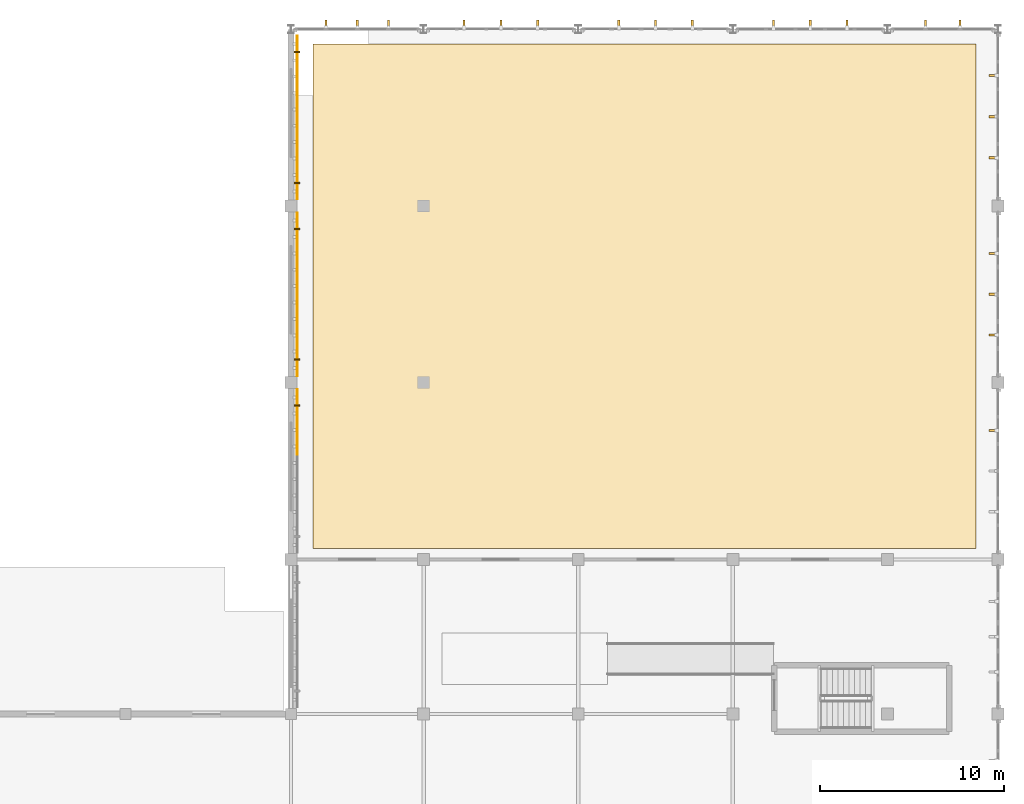
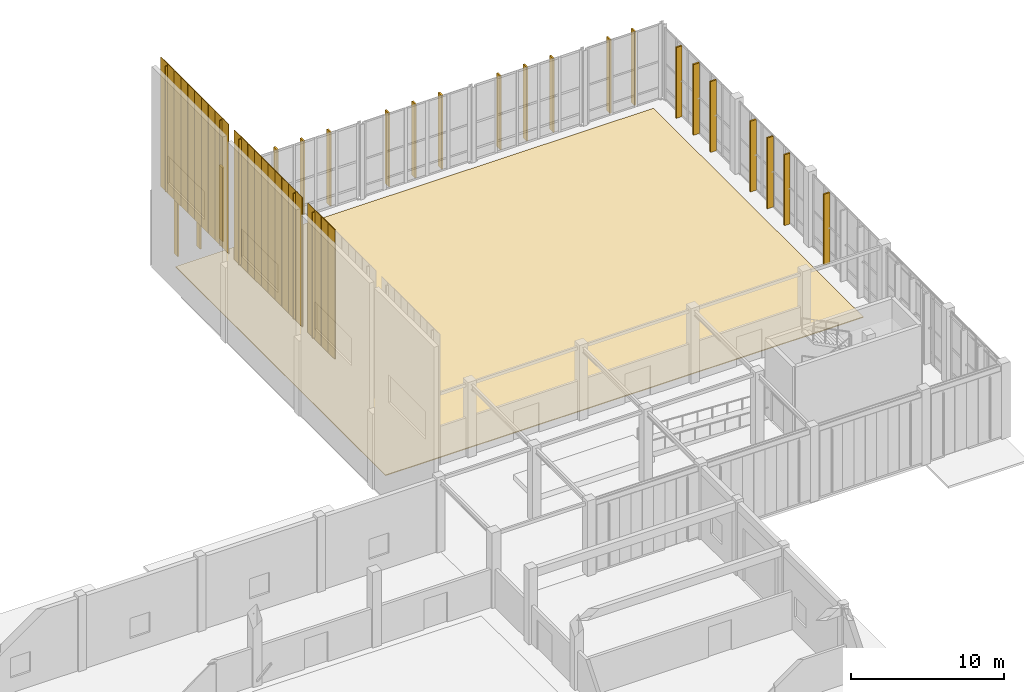
# One storey, part 109 of 110: 46 coverings, 5 shading devices.
"""IFC4 building model written with IfcOpenShell, lengths in metres."""

from ifc_helpers import new_model, si_unit, direction, frame, origin, origin_2d, place, context, subcontext, project, spatial, polyline, rectangle, outline, extrude, material, layer, layer_set, type_object, element, save


model = new_model("IFC4")

# Units and contexts
model_context = context("Model", 3, precision=1e-05, world=origin(), true_north=direction((0.0, 1.0)))
body_context = subcontext(model_context, "Body", "Model", "MODEL_VIEW")
ifc_project = project(units=[si_unit("LENGTHUNIT", "METRE"), si_unit("AREAUNIT", "SQUARE_METRE"), si_unit("VOLUMEUNIT", "CUBIC_METRE"), si_unit("PLANEANGLEUNIT", "RADIAN"), si_unit("MASSUNIT", "GRAM", prefix="KILO")], contexts=[model_context])

# Site, building, storey
site_placement = place(None, origin())
site = spatial("IfcSite", under=ifc_project, at=site_placement, CompositionType="ELEMENT")
building_placement = place(site_placement, origin())
building = spatial("IfcBuilding", under=site, at=building_placement, Name="Tizgana Railside Sports Hall", CompositionType="ELEMENT")
storey_placement = place(building_placement, origin())
storey = spatial("IfcBuildingStorey", under=building, at=storey_placement, Name="L00", CompositionType="ELEMENT", Elevation=0.0)

# Shading devices
ifc_material_1 = material(Name="Glulam GL28h", Category="wood")
shading_device_type = type_object("IfcShadingDeviceType", Name="Glulam Vertical Brise-Soleil Fin 320", PredefinedType="JALOUSIE", material=ifc_material_1)
for number, where, z_axis, x_axis, name in (
    (1, (134.1240234375, 97.14990234375, 6.64990234375), (0.0, 0.0, 1.0), (0.0, -1.0, 0.0), "L00 Glulam Fin FIN-0011"),
    (2, (134.1240234375, 106.75, 6.64990234375), (0.0, 0.0, 1.0), (0.0, -1.0, 0.0), "L00 Glulam Fin FIN-0013"),
    (3, (134.1240234375, 99.64990234375, 6.64990234375), (0.0, 0.0, 1.0), (0.0, -1.0, 0.0), "L00 Glulam Fin FIN-0014"),
    (4, (134.1240234375, 116.35009765625, 6.64990234375), (0.0, 0.0, 1.0), (0.0, -1.0, 0.0), "L00 Glulam Fin FIN-0015"),
    (5, (134.1240234375, 109.25, 6.64990234375), (0.0, 0.0, 1.0), (0.0, -1.0, 0.0), "L00 Glulam Fin FIN-0016"),
):
    element("IfcShadingDevice", number, at=place(storey_placement, frame(where, z_axis=z_axis, x_axis=x_axis)), inside=storey, type_object=shading_device_type, Name=name, PredefinedType="JALOUSIE", context=body_context, shape_type="SweptSolid", body=[
        extrude(rectangle(XDim=0.080078125, YDim=0.320068359375, at=origin_2d()), origin(), (0.0, 0.0, 1.0), 10.0),
    ])

# Coverings
ifc_layer_1 = layer(ifc_material_1, 0.139892578125, Name="Glulam GL28h")
ifc_layer_set_1 = layer_set([ifc_layer_1], Name="Glulam GL28h")
covering_type_1 = type_object("IfcCoveringType", Name="Mass-Timber Brise-Soleil & Pergola Fin", PredefinedType="CLADDING", material=ifc_layer_set_1)
for number, where, z_axis, x_axis, name in (
    (6, (135.702392578125, 117.8798828125, 0.0849609375), (0.0, 0.0, 1.0), (1.0, 0.0, 0.0), "L00 Timber Brise-Soleil Fin"),
    (7, (137.39990234375, 117.8798828125, 0.0849609375), (0.0, 0.0, 1.0), (1.0, 0.0, 0.0), "L00 Timber Brise-Soleil Fin"),
    (8, (139.097412109375, 117.8798828125, 0.0849609375), (0.0, 0.0, 1.0), (1.0, 0.0, 0.0), "L00 Timber Brise-Soleil Fin"),
    (9, (143.202392578125, 117.8798828125, 0.0849609375), (0.0, 0.0, 1.0), (1.0, 0.0, 0.0), "L00 Timber Brise-Soleil Fin"),
    (10, (145.199951171875, 117.8798828125, 0.0849609375), (0.0, 0.0, 1.0), (1.0, 0.0, 0.0), "L00 Timber Brise-Soleil Fin"),
    (11, (147.197509765625, 117.8798828125, 0.0849609375), (0.0, 0.0, 1.0), (1.0, 0.0, 0.0), "L00 Timber Brise-Soleil Fin"),
    (12, (151.6025390625, 117.8798828125, 0.0849609375), (0.0, 0.0, 1.0), (1.0, 0.0, 0.0), "L00 Timber Brise-Soleil Fin"),
    (13, (153.60009765625, 117.8798828125, 0.0849609375), (0.0, 0.0, 1.0), (1.0, 0.0, 0.0), "L00 Timber Brise-Soleil Fin"),
    (14, (155.597412109375, 117.8798828125, 0.0849609375), (0.0, 0.0, 1.0), (1.0, 0.0, 0.0), "L00 Timber Brise-Soleil Fin"),
    (15, (160.00244140625, 117.8798828125, 0.0849609375), (0.0, 0.0, 1.0), (1.0, 0.0, 0.0), "L00 Timber Brise-Soleil Fin"),
    (16, (162.0, 117.8798828125, 0.0849609375), (0.0, 0.0, 1.0), (1.0, 0.0, 0.0), "L00 Timber Brise-Soleil Fin"),
    (17, (163.99755859375, 117.8798828125, 0.0849609375), (0.0, 0.0, 1.0), (1.0, 0.0, 0.0), "L00 Timber Brise-Soleil Fin"),
    (18, (168.268310546875, 117.8798828125, 0.0849609375), (0.0, 0.0, 1.0), (1.0, 0.0, 0.0), "L00 Timber Brise-Soleil Fin"),
    (19, (170.131591796875, 117.8798828125, 0.0849609375), (0.0, 0.0, 1.0), (1.0, 0.0, 0.0), "L00 Timber Brise-Soleil Fin"),
):
    element("IfcCovering", number, at=place(storey_placement, frame(where, z_axis=z_axis, x_axis=x_axis)), inside=storey, type_object=covering_type_1, Name=name, PredefinedType="CLADDING", context=body_context, shape_type="SweptSolid", body=[
        extrude(rectangle(XDim=0.1201171875, YDim=0.43994140625, at=origin_2d()), origin(), (0.0, 0.0, 1.0), 5.875),
    ])
for number, where, z_axis, x_axis, name in (
    (20, (171.919921875, 95.81005859375, 0.0849609375), (0.0, 0.0, 1.0), (0.0, 1.0, 0.0), "L00 Timber Brise-Soleil Fin"),
    (21, (171.919921875, 100.989990234375, 0.0849609375), (0.0, 0.0, 1.0), (0.0, 1.0, 0.0), "L00 Timber Brise-Soleil Fin"),
    (22, (171.919921875, 103.199951171875, 0.0849609375), (0.0, 0.0, 1.0), (0.0, 1.0, 0.0), "L00 Timber Brise-Soleil Fin"),
    (23, (171.919921875, 105.409912109375, 0.0849609375), (0.0, 0.0, 1.0), (0.0, 1.0, 0.0), "L00 Timber Brise-Soleil Fin"),
    (24, (171.919921875, 110.614990234375, 0.0849609375), (0.0, 0.0, 1.0), (0.0, 1.0, 0.0), "L00 Timber Brise-Soleil Fin"),
    (25, (171.919921875, 112.85009765625, 0.0849609375), (0.0, 0.0, 1.0), (0.0, 1.0, 0.0), "L00 Timber Brise-Soleil Fin"),
    (26, (171.919921875, 115.0849609375, 0.0849609375), (0.0, 0.0, 1.0), (0.0, 1.0, 0.0), "L00 Timber Brise-Soleil Fin"),
):
    element("IfcCovering", number, at=place(storey_placement, frame(where, z_axis=z_axis, x_axis=x_axis)), inside=storey, type_object=covering_type_1, Name=name, PredefinedType="CLADDING", context=body_context, shape_type="SweptSolid", body=[
        extrude(rectangle(XDim=0.1201171875, YDim=0.43994140625, at=origin_2d()), origin(), (0.0, 0.0, 1.0), 5.635009765625),
    ])
ifc_material_2 = material(Name="Anodised perforated aluminium screen", Category="aluminium")
ifc_layer_2 = layer(ifc_material_2, 0.044921875, Name="Anodised perforated aluminium screen")
ifc_layer_set_2 = layer_set([ifc_layer_2], Name="Anodised perforated aluminium screen")
covering_type_2 = type_object("IfcCoveringType", Name="Perforated Aluminium Hall Screen 900", PredefinedType="CLADDING", material=ifc_layer_set_2)
for number, where, z_axis, x_axis, name in (
    (27, (134.14501953125, 97.60498046875, 6.5), (0.0, 0.0, 1.0), (0.0, -1.0, 0.0), "L00 Perforated Screen SCR-0463"),
    (28, (134.14501953125, 96.715087890625, 6.5), (0.0, 0.0, 1.0), (0.0, -1.0, 0.0), "L00 Perforated Screen SCR-0464"),
    (29, (134.14501953125, 95.824951171875, 6.5), (0.0, 0.0, 1.0), (0.0, -1.0, 0.0), "L00 Perforated Screen SCR-0465"),
    (30, (134.14501953125, 94.93505859375, 6.5), (0.0, 0.0, 1.0), (0.0, -1.0, 0.0), "L00 Perforated Screen SCR-0466"),
    (31, (134.14501953125, 107.205078125, 6.5), (0.0, 0.0, 1.0), (0.0, -1.0, 0.0), "L00 Perforated Screen SCR-0473"),
    (32, (134.14501953125, 106.31494140625, 6.5), (0.0, 0.0, 1.0), (0.0, -1.0, 0.0), "L00 Perforated Screen SCR-0474"),
    (33, (134.14501953125, 105.425048828125, 6.5), (0.0, 0.0, 1.0), (0.0, -1.0, 0.0), "L00 Perforated Screen SCR-0475"),
    (34, (134.14501953125, 104.534912109375, 6.5), (0.0, 0.0, 1.0), (0.0, -1.0, 0.0), "L00 Perforated Screen SCR-0476"),
    (35, (134.14501953125, 103.64501953125, 6.5), (0.0, 0.0, 1.0), (0.0, -1.0, 0.0), "L00 Perforated Screen SCR-0477"),
    (36, (134.14501953125, 102.7548828125, 6.5), (0.0, 0.0, 1.0), (0.0, -1.0, 0.0), "L00 Perforated Screen SCR-0478"),
    (37, (134.14501953125, 101.864990234375, 6.5), (0.0, 0.0, 1.0), (0.0, -1.0, 0.0), "L00 Perforated Screen SCR-0479"),
    (38, (134.14501953125, 100.97509765625, 6.5), (0.0, 0.0, 1.0), (0.0, -1.0, 0.0), "L00 Perforated Screen SCR-0480"),
    (39, (134.14501953125, 100.0849609375, 6.5), (0.0, 0.0, 1.0), (0.0, -1.0, 0.0), "L00 Perforated Screen SCR-0481"),
    (40, (134.14501953125, 99.195068359375, 6.5), (0.0, 0.0, 1.0), (0.0, -1.0, 0.0), "L00 Perforated Screen SCR-0482"),
    (41, (134.14501953125, 116.804931640625, 6.5), (0.0, 0.0, 1.0), (0.0, -1.0, 0.0), "L00 Perforated Screen SCR-0483"),
    (42, (134.14501953125, 115.9150390625, 6.5), (0.0, 0.0, 1.0), (0.0, -1.0, 0.0), "L00 Perforated Screen SCR-0484"),
    (43, (134.14501953125, 115.02490234375, 6.5), (0.0, 0.0, 1.0), (0.0, -1.0, 0.0), "L00 Perforated Screen SCR-0485"),
    (44, (134.14501953125, 114.135009765625, 6.5), (0.0, 0.0, 1.0), (0.0, -1.0, 0.0), "L00 Perforated Screen SCR-0486"),
    (45, (134.14501953125, 113.2451171875, 6.5), (0.0, 0.0, 1.0), (0.0, -1.0, 0.0), "L00 Perforated Screen SCR-0487"),
    (46, (134.14501953125, 112.35498046875, 6.5), (0.0, 0.0, 1.0), (0.0, -1.0, 0.0), "L00 Perforated Screen SCR-0488"),
    (47, (134.14501953125, 111.465087890625, 6.5), (0.0, 0.0, 1.0), (0.0, -1.0, 0.0), "L00 Perforated Screen SCR-0489"),
    (48, (134.14501953125, 110.574951171875, 6.5), (0.0, 0.0, 1.0), (0.0, -1.0, 0.0), "L00 Perforated Screen SCR-0490"),
    (49, (134.14501953125, 109.68505859375, 6.5), (0.0, 0.0, 1.0), (0.0, -1.0, 0.0), "L00 Perforated Screen SCR-0491"),
    (50, (134.14501953125, 108.794921875, 6.5), (0.0, 0.0, 1.0), (0.0, -1.0, 0.0), "L00 Perforated Screen SCR-0492"),
):
    element("IfcCovering", number, at=place(storey_placement, frame(where, z_axis=z_axis, x_axis=x_axis)), inside=storey, type_object=covering_type_2, Name=name, PredefinedType="CLADDING", context=body_context, shape_type="SweptSolid", body=[
        extrude(rectangle(XDim=0.8720703125, YDim=0.044921875, at=origin_2d()), origin(), (0.0, 0.0, 1.0), 10.300048828125),
    ])
ifc_material_3 = material(Name="Sprung beech timber", Category="wood")
ifc_layer_3 = layer(ifc_material_3, 0.06494140625, Name="Sprung beech timber")
ifc_layer_set_3 = layer_set([ifc_layer_3], Name="Sprung beech timber")
covering_type_3 = type_object("IfcCoveringType", Name="Sprung Beech Hardwood Court Floor", PredefinedType="FLOORING", material=ifc_layer_set_3)
covering_placement = place(storey_placement, origin())
element("IfcCovering", 51, at=covering_placement, inside=storey, type_object=covering_type_3, Name="L00 Sprung Sports Floor FLR-0004", PredefinedType="FLOORING", context=body_context, shape_type="SweptSolid", body=[
    extrude(outline(polyline([(135.0, 89.39990234375), (171.0, 89.39990234375), (171.0, 116.800048828125), (135.0, 116.800048828125), (135.0, 89.39990234375)])), origin(), (0.0, 0.0, 1.0), 0.06494140625),
])

save(model, "model.ifc")
